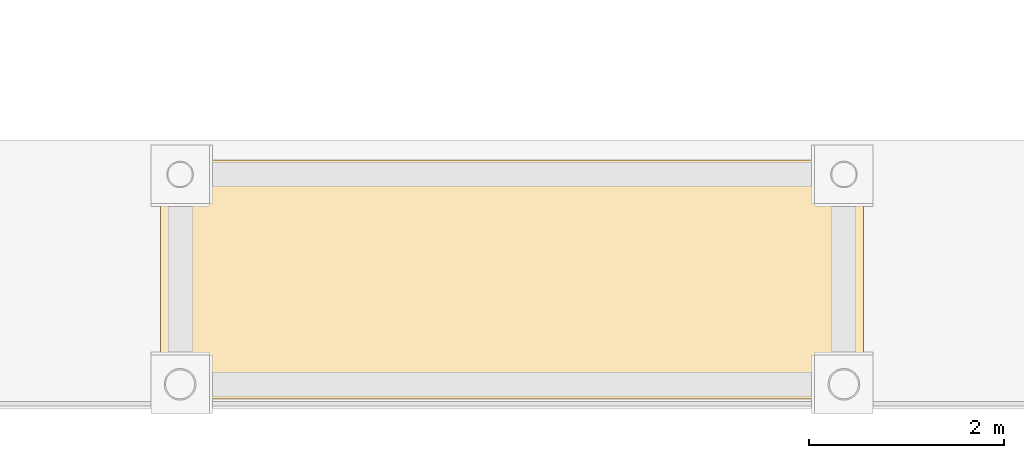
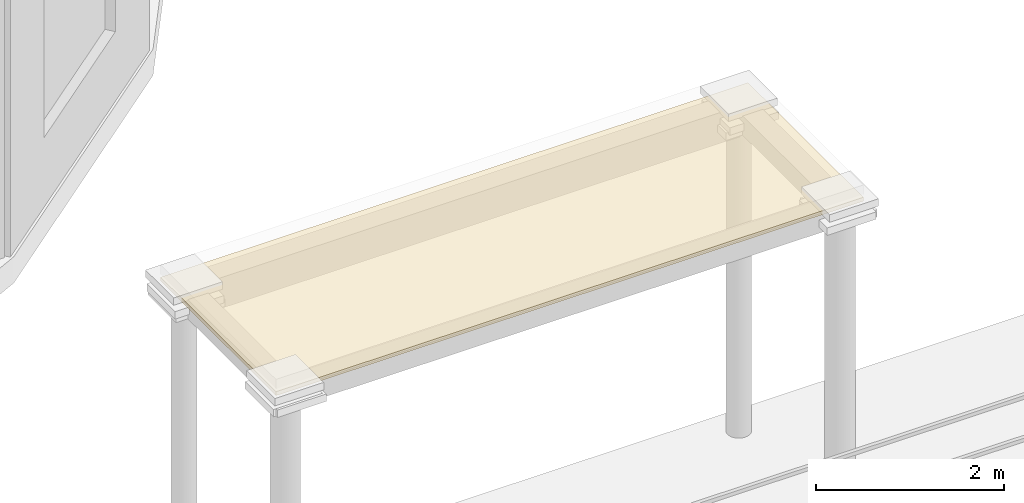
# One storey, part 35 of 36: 1 covering.
"""IFC4 building model written with IfcOpenShell, lengths in metres."""

from ifc_helpers import new_model, si_unit, direction, frame, origin, place, context, subcontext, project, spatial, polyline, outline, extrude, material, layer, layer_set, type_object, element, save


model = new_model("IFC4")

# Units and contexts
model_context = context("Model", 3, precision=1e-05, world=origin(), true_north=direction((0.0, 1.0)))
body_context = subcontext(model_context, "Body", "Model", "MODEL_VIEW")
ifc_project = project(units=[si_unit("LENGTHUNIT", "METRE"), si_unit("AREAUNIT", "SQUARE_METRE"), si_unit("VOLUMEUNIT", "CUBIC_METRE"), si_unit("PLANEANGLEUNIT", "RADIAN"), si_unit("MASSUNIT", "GRAM", prefix="KILO")], contexts=[model_context])

# Site, building, storey
site_placement = place(None, origin())
site = spatial("IfcSite", under=ifc_project, at=site_placement, CompositionType="ELEMENT")
building_placement = place(site_placement, origin())
building = spatial("IfcBuilding", under=site, at=building_placement, Name="Vorneva Point Tower", CompositionType="ELEMENT")
storey_placement = place(building_placement, origin())
storey = spatial("IfcBuildingStorey", under=building, at=storey_placement, Name="L00", CompositionType="ELEMENT", Elevation=0.0)

# Covering
ifc_material = material(Name="Pale anodised aluminium", Category="aluminium")
ifc_layer = layer(ifc_material, 0.030029296875)
ifc_layer_set = layer_set([ifc_layer], Name="Pale anodised aluminium")
covering_type = type_object("IfcCoveringType", Name="COV-SOF-ALU", PredefinedType="CLADDING", material=ifc_layer_set)
covering_placement = place(storey_placement, frame((0.0, 0.0, 4.300048828125)))
element("IfcCovering", 1, at=covering_placement, inside=storey, type_object=covering_type, Name="Waterfront Canopy Pale-Aluminium Soffit 05", PredefinedType="CLADDING", context=body_context, shape_type="SweptSolid", body=[
    extrude(outline(polyline([(64.39990234375, -2.10009765625), (71.60009765625, -2.10009765625), (71.60009765625, 0.35009765625), (64.39990234375, 0.35009765625), (64.39990234375, -2.10009765625)])), origin(), (0.0, 0.0, 1.0), 0.050048828125),
])

save(model, "model.ifc")
